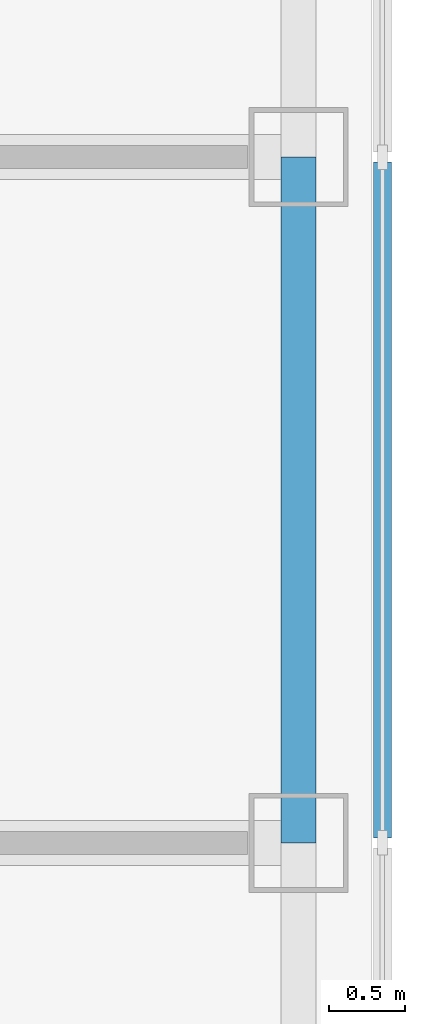
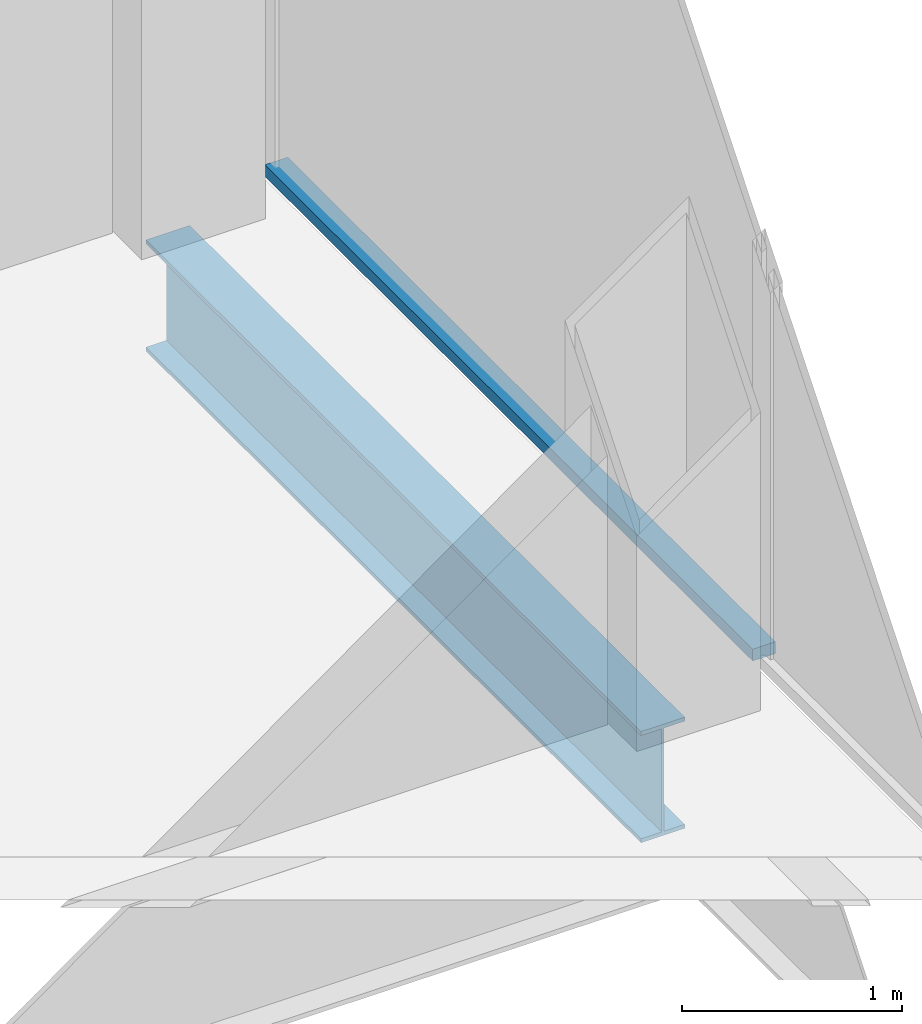
# One storey, part 5 of 14: 1 beam, 1 member, 1 element without a shape of its own.
"""IFC4 building model written with IfcOpenShell, lengths in metres."""

from ifc_helpers import new_model, si_unit, direction, frame, origin, origin_2d, place, context, subcontext, project, spatial, rectangle, i_section, extrude, material, material_profile, profile_set, type_object, element, aggregate, save


model = new_model("IFC4")

# Units and contexts
model_context = context("Model", 3, precision=1e-05, world=origin(), true_north=direction((0.0, 1.0)))
body_context = subcontext(model_context, "Body", "Model", "MODEL_VIEW")
ifc_project = project(units=[si_unit("LENGTHUNIT", "METRE"), si_unit("AREAUNIT", "SQUARE_METRE"), si_unit("VOLUMEUNIT", "CUBIC_METRE"), si_unit("PLANEANGLEUNIT", "RADIAN"), si_unit("MASSUNIT", "GRAM", prefix="KILO")], contexts=[model_context])

# Site, building, storey
site_placement = place(None, origin())
site = spatial("IfcSite", under=ifc_project, at=site_placement, CompositionType="ELEMENT")
building_placement = place(site_placement, origin())
building = spatial("IfcBuilding", under=site, at=building_placement, Name="Corais Broadcast Tower", CompositionType="ELEMENT")
storey_placement = place(building_placement, frame((0.0, 0.0, 214.60009765625)))
storey = spatial("IfcBuildingStorey", under=building, at=storey_placement, Name="L49", CompositionType="ELEMENT", Elevation=214.60009765625)

# Beam
ifc_material_1 = material(Name="Steel ASTM A572 Grade 50", Category="steel")
ifc_material_profile_1 = material_profile(ifc_material_1, i_section(OverallWidth=0.22998046875, OverallDepth=0.616943359375, WebThickness=0.01318359375, FlangeThickness=0.022216796875, at=origin_2d()), Name="W610x140")
ifc_profile_set_1 = profile_set([ifc_material_profile_1], Name="Steel ASTM A572 Grade 50")
beam_type = type_object("IfcBeamType", Name="Spandrel W610x140", PredefinedType="BEAM", material=ifc_profile_set_1)
beam_placement = place(storey_placement, frame((54.0, 27.0, -0.468505859375), z_axis=(0.0, 1.0, 0.0), x_axis=(-1.0, 0.0, 0.0)))
element("IfcBeam", 1, at=beam_placement, inside=storey, type_object=beam_type, Name="SB3 G/15 to H/15", PredefinedType="BEAM", context=body_context, shape_type="SweptSolid", body=[
    extrude(i_section(OverallWidth=0.22998046875, OverallDepth=0.616943359375, WebThickness=0.01318359375, FlangeThickness=0.022216796875, at=origin_2d()), origin(), (0.0, 0.0, 1.0), 4.5),
])

# Curtain wall, member
ifc_material_2 = material(Name="Aluminium and glass", Category="aluminium")
curtain_wall_type = type_object("IfcCurtainWallType", Name="Unitised fritted curtain wall CW3", PredefinedType="NOTDEFINED", material=ifc_material_2)
curtain_wall_placement = place(storey_placement, origin())
curtain_wall = element("IfcCurtainWall", 2, at=curtain_wall_placement, inside=storey, type_object=curtain_wall_type, Name="CW3 curtain wall L49 6", PredefinedType="NOTDEFINED")
ifc_material_3 = material(Name="Aluminium 6063-T6", Category="aluminium")
ifc_material_profile_2 = material_profile(ifc_material_3, rectangle(XDim=0.1201171875, YDim=0.06494140625, at=origin_2d()), Name="Transom CW3 65x120")
ifc_profile_set_2 = profile_set([ifc_material_profile_2], Name="Aluminium 6063-T6")
member_type = type_object("IfcMemberType", Name="Transom CW3 65x120", PredefinedType="USERDEFINED", material=ifc_profile_set_2)
member_placement = place(storey_placement, frame((54.550048828125, 31.467529296875, 0.032470703125), z_axis=(0.0, -1.0, 0.0), x_axis=(1.0, 0.0, 0.0)))
member = element("IfcMember", 3, at=member_placement, type_object=member_type, Name="CW3 transom 3.1", ObjectType="TRANSOM", PredefinedType="USERDEFINED", context=body_context, shape_type="SweptSolid", body=[
    extrude(rectangle(XDim=0.1201171875, YDim=0.06494140625, at=origin_2d()), origin(), (0.0, 0.0, 1.0), 4.43505859375),
])
aggregate(curtain_wall, [member])

save(model, "model.ifc")
